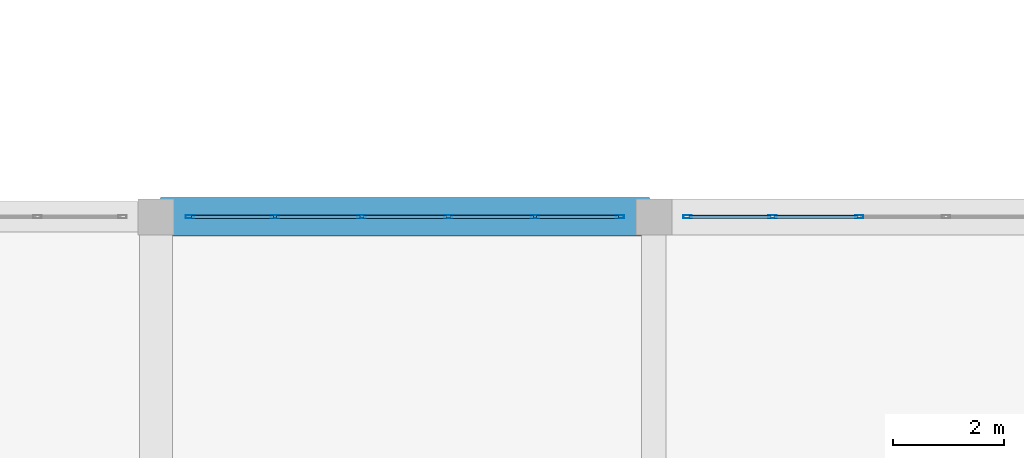
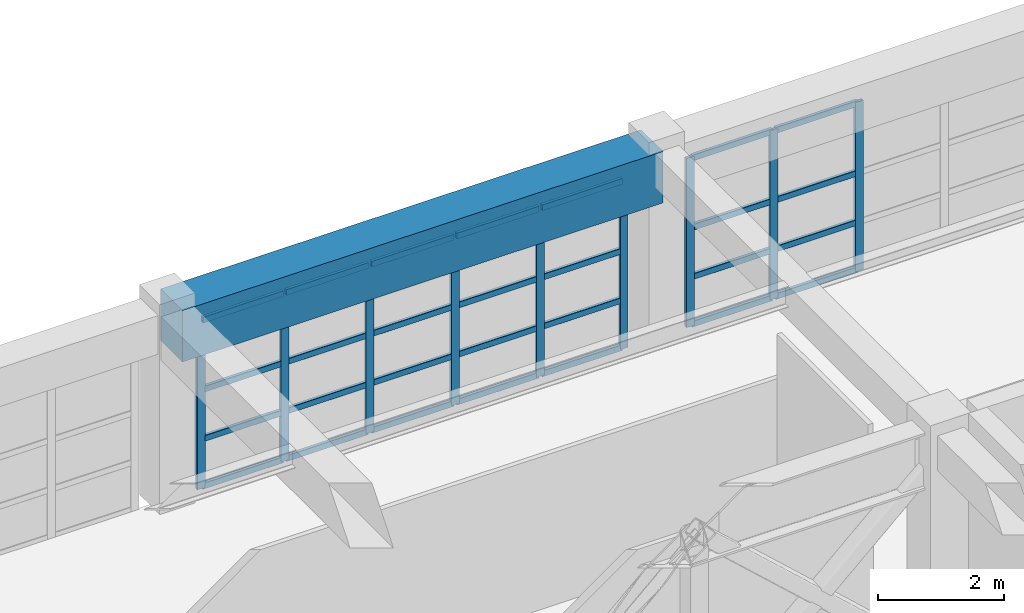
# One storey, part 54 of 130: 37 members, 1 beam, 2 elements without a shape of their own.
"""IFC4 building model written with IfcOpenShell, lengths in metres."""

from ifc_helpers import new_model, si_unit, direction, frame, origin, origin_2d, place, context, subcontext, project, spatial, rectangle, hollow_rectangle, extrude, material, material_profile, profile_set, type_object, element, aggregate, save


model = new_model("IFC4")

# Units and contexts
model_context = context("Model", 3, precision=1e-05, world=origin(), true_north=direction((0.0, 1.0)))
body_context = subcontext(model_context, "Body", "Model", "MODEL_VIEW")
ifc_project = project(units=[si_unit("LENGTHUNIT", "METRE"), si_unit("AREAUNIT", "SQUARE_METRE"), si_unit("VOLUMEUNIT", "CUBIC_METRE"), si_unit("PLANEANGLEUNIT", "RADIAN"), si_unit("MASSUNIT", "GRAM", prefix="KILO")], contexts=[model_context])

# Site, building, storey
site_placement = place(None, origin())
site = spatial("IfcSite", under=ifc_project, at=site_placement, CompositionType="ELEMENT")
building_placement = place(site_placement, origin())
building = spatial("IfcBuilding", under=site, at=building_placement, Name="Miravela Opera House", CompositionType="ELEMENT")
storey_placement = place(building_placement, frame((0.0, 0.0, 9.52001953125)))
storey = spatial("IfcBuildingStorey", under=building, at=storey_placement, Name="L02", CompositionType="ELEMENT", Elevation=9.52001953125)

# Curtain wall, members
ifc_material_1 = material(Name="Anodised architectural bronze aluminium 6063-T6", Category="aluminium")
curtain_wall_type = type_object("IfcCurtainWallType", Name="ARC-CW-05", PredefinedType="NOTDEFINED", material=ifc_material_1)
curtain_wall_1_placement = place(storey_placement, origin())
curtain_wall_1 = element("IfcCurtainWall", 1, at=curtain_wall_1_placement, inside=storey, type_object=curtain_wall_type, Name="Courtyard Arcade Curtain Wall CW-L02-091", PredefinedType="NOTDEFINED")
ifc_material_profile_1 = material_profile(ifc_material_1, hollow_rectangle(XDim=0.06005859375, YDim=0.14990234375, WallThickness=0.00390625, InnerFilletRadius=0.001953125, OuterFilletRadius=0.00390625, at=origin_2d()), Name="CWM-60X150")
ifc_profile_set_1 = profile_set([ifc_material_profile_1])
member_type_1 = type_object("IfcMemberType", Name="ARC-CWM-150", PredefinedType="MULLION", material=ifc_profile_set_1)
member_1_placement = place(storey_placement, frame((36.610107421875, 84.0, 0.0), z_axis=(0.0, 0.0, 1.0), x_axis=(0.0, 1.0, 0.0)))
member_1 = element("IfcMember", 2, at=member_1_placement, type_object=member_type_1, Name="CW-05 mullion 1", PredefinedType="MULLION", context=body_context, shape_type="SweptSolid", body=[
    extrude(hollow_rectangle(XDim=0.06005859375, YDim=0.14990234375, WallThickness=0.00390625, InnerFilletRadius=0.001953125, OuterFilletRadius=0.00390625, at=origin_2d()), origin(), (0.0, 0.0, 1.0), 3.2900390625),
])
member_2_placement = place(storey_placement, frame((38.14794921875, 84.0, 0.0), z_axis=(0.0, 0.0, 1.0), x_axis=(0.0, 1.0, 0.0)))
member_2 = element("IfcMember", 3, at=member_2_placement, type_object=member_type_1, Name="CW-05 mullion 2", PredefinedType="MULLION", context=body_context, shape_type="SweptSolid", body=[
    extrude(hollow_rectangle(XDim=0.06005859375, YDim=0.14990234375, WallThickness=0.00390625, InnerFilletRadius=0.001953125, OuterFilletRadius=0.00390625, at=origin_2d()), origin(), (0.0, 0.0, 1.0), 3.2900390625),
])
member_3_placement = place(storey_placement, frame((39.716064453125, 84.0, 0.0), z_axis=(0.0, 0.0, 1.0), x_axis=(0.0, 1.0, 0.0)))
member_3 = element("IfcMember", 4, at=member_3_placement, type_object=member_type_1, Name="CW-05 mullion 3", PredefinedType="MULLION", context=body_context, shape_type="SweptSolid", body=[
    extrude(hollow_rectangle(XDim=0.06005859375, YDim=0.14990234375, WallThickness=0.00390625, InnerFilletRadius=0.001953125, OuterFilletRadius=0.00390625, at=origin_2d()), origin(), (0.0, 0.0, 1.0), 3.2900390625),
])
member_4_placement = place(storey_placement, frame((41.283935546875, 84.0, 0.0), z_axis=(0.0, 0.0, 1.0), x_axis=(0.0, 1.0, 0.0)))
member_4 = element("IfcMember", 5, at=member_4_placement, type_object=member_type_1, Name="CW-05 mullion 4", PredefinedType="MULLION", context=body_context, shape_type="SweptSolid", body=[
    extrude(hollow_rectangle(XDim=0.06005859375, YDim=0.14990234375, WallThickness=0.00390625, InnerFilletRadius=0.001953125, OuterFilletRadius=0.00390625, at=origin_2d()), origin(), (0.0, 0.0, 1.0), 3.2900390625),
])
member_5_placement = place(storey_placement, frame((42.85205078125, 84.0, 0.0), z_axis=(0.0, 0.0, 1.0), x_axis=(0.0, 1.0, 0.0)))
member_5 = element("IfcMember", 6, at=member_5_placement, type_object=member_type_1, Name="CW-05 mullion 5", PredefinedType="MULLION", context=body_context, shape_type="SweptSolid", body=[
    extrude(hollow_rectangle(XDim=0.06005859375, YDim=0.14990234375, WallThickness=0.00390625, InnerFilletRadius=0.001953125, OuterFilletRadius=0.00390625, at=origin_2d()), origin(), (0.0, 0.0, 1.0), 3.2900390625),
])
member_6_placement = place(storey_placement, frame((44.389892578125, 84.0, 0.0), z_axis=(0.0, 0.0, 1.0), x_axis=(0.0, 1.0, 0.0)))
member_6 = element("IfcMember", 7, at=member_6_placement, type_object=member_type_1, Name="CW-05 mullion 6", PredefinedType="MULLION", context=body_context, shape_type="SweptSolid", body=[
    extrude(hollow_rectangle(XDim=0.06005859375, YDim=0.14990234375, WallThickness=0.00390625, InnerFilletRadius=0.001953125, OuterFilletRadius=0.00390625, at=origin_2d()), origin(), (0.0, 0.0, 1.0), 3.2900390625),
])

curtain_wall_2_placement = place(storey_placement, origin())
curtain_wall_2 = element("IfcCurtainWall", 8, at=curtain_wall_2_placement, inside=storey, type_object=curtain_wall_type, Name="Courtyard Arcade Curtain Wall CW-L02-093", PredefinedType="NOTDEFINED")
member_7_placement = place(storey_placement, frame((45.610107421875, 84.0, 0.0), z_axis=(0.0, 0.0, 1.0), x_axis=(0.0, 1.0, 0.0)))
member_7 = element("IfcMember", 9, at=member_7_placement, type_object=member_type_1, Name="CW-05 mullion 1", PredefinedType="MULLION", context=body_context, shape_type="SweptSolid", body=[
    extrude(hollow_rectangle(XDim=0.06005859375, YDim=0.14990234375, WallThickness=0.00390625, InnerFilletRadius=0.001953125, OuterFilletRadius=0.00390625, at=origin_2d()), origin(), (0.0, 0.0, 1.0), 3.2900390625),
])
member_8_placement = place(storey_placement, frame((47.14794921875, 84.0, 0.0), z_axis=(0.0, 0.0, 1.0), x_axis=(0.0, 1.0, 0.0)))
member_8 = element("IfcMember", 10, at=member_8_placement, type_object=member_type_1, Name="CW-05 mullion 2", PredefinedType="MULLION", context=body_context, shape_type="SweptSolid", body=[
    extrude(hollow_rectangle(XDim=0.06005859375, YDim=0.14990234375, WallThickness=0.00390625, InnerFilletRadius=0.001953125, OuterFilletRadius=0.00390625, at=origin_2d()), origin(), (0.0, 0.0, 1.0), 3.2900390625),
])
member_9_placement = place(storey_placement, frame((48.716064453125, 84.0, 0.0), z_axis=(0.0, 0.0, 1.0), x_axis=(0.0, 1.0, 0.0)))
member_9 = element("IfcMember", 11, at=member_9_placement, type_object=member_type_1, Name="CW-05 mullion 3", PredefinedType="MULLION", context=body_context, shape_type="SweptSolid", body=[
    extrude(hollow_rectangle(XDim=0.06005859375, YDim=0.14990234375, WallThickness=0.00390625, InnerFilletRadius=0.001953125, OuterFilletRadius=0.00390625, at=origin_2d()), origin(), (0.0, 0.0, 1.0), 3.2900390625),
])

# Member
ifc_material_profile_2 = material_profile(ifc_material_1, hollow_rectangle(XDim=0.06005859375, YDim=0.114990234375, WallThickness=0.00390625, InnerFilletRadius=0.001953125, OuterFilletRadius=0.00390625, at=origin_2d()), Name="CWT-60X115")
ifc_profile_set_2 = profile_set([ifc_material_profile_2])
member_type_2 = type_object("IfcMemberType", Name="ARC-CWT-115", PredefinedType="USERDEFINED", material=ifc_profile_set_2)
member_10_placement = place(storey_placement, frame((36.639892578125, 84.0, 0.030029296875), z_axis=(1.0, 0.0, 0.0), x_axis=(0.0, 1.0, 0.0)))
member_10 = element("IfcMember", 12, at=member_10_placement, type_object=member_type_2, Name="CW-05 transom 1.1", ObjectType="TRANSOM", PredefinedType="USERDEFINED", context=body_context, shape_type="SweptSolid", body=[
    extrude(hollow_rectangle(XDim=0.06005859375, YDim=0.114990234375, WallThickness=0.00390625, InnerFilletRadius=0.001953125, OuterFilletRadius=0.00390625, at=origin_2d()), origin(), (0.0, 0.0, 1.0), 1.47802734375),
])

member_11_placement = place(storey_placement, frame((36.639892578125, 84.0, 0.949951171875), z_axis=(1.0, 0.0, 0.0), x_axis=(0.0, 1.0, 0.0)))
member_11 = element("IfcMember", 13, at=member_11_placement, type_object=member_type_2, Name="CW-05 transom 1.2", ObjectType="TRANSOM", PredefinedType="USERDEFINED", context=body_context, shape_type="SweptSolid", body=[
    extrude(hollow_rectangle(XDim=0.06005859375, YDim=0.114990234375, WallThickness=0.00390625, InnerFilletRadius=0.001953125, OuterFilletRadius=0.00390625, at=origin_2d()), origin(), (0.0, 0.0, 1.0), 1.47802734375),
])

member_12_placement = place(storey_placement, frame((36.639892578125, 84.0, 1.908203125), z_axis=(1.0, 0.0, 0.0), x_axis=(0.0, 1.0, 0.0)))
member_12 = element("IfcMember", 14, at=member_12_placement, type_object=member_type_2, Name="CW-05 transom 1.3", ObjectType="TRANSOM", PredefinedType="USERDEFINED", context=body_context, shape_type="SweptSolid", body=[
    extrude(hollow_rectangle(XDim=0.06005859375, YDim=0.114990234375, WallThickness=0.00390625, InnerFilletRadius=0.001953125, OuterFilletRadius=0.00390625, at=origin_2d()), origin(), (0.0, 0.0, 1.0), 1.47802734375),
])

member_13_placement = place(storey_placement, frame((36.639892578125, 84.0, 3.260009765625), z_axis=(1.0, 0.0, 0.0), x_axis=(0.0, 1.0, 0.0)))
member_13 = element("IfcMember", 15, at=member_13_placement, type_object=member_type_2, Name="CW-05 transom 1.4", ObjectType="TRANSOM", PredefinedType="USERDEFINED", context=body_context, shape_type="SweptSolid", body=[
    extrude(hollow_rectangle(XDim=0.06005859375, YDim=0.114990234375, WallThickness=0.00390625, InnerFilletRadius=0.001953125, OuterFilletRadius=0.00390625, at=origin_2d()), origin(), (0.0, 0.0, 1.0), 1.47802734375),
])

member_14_placement = place(storey_placement, frame((38.177978515625, 84.0, 0.030029296875), z_axis=(1.0, 0.0, 0.0), x_axis=(0.0, 1.0, 0.0)))
member_14 = element("IfcMember", 16, at=member_14_placement, type_object=member_type_2, Name="CW-05 transom 2.1", ObjectType="TRANSOM", PredefinedType="USERDEFINED", context=body_context, shape_type="SweptSolid", body=[
    extrude(hollow_rectangle(XDim=0.06005859375, YDim=0.114990234375, WallThickness=0.00390625, InnerFilletRadius=0.001953125, OuterFilletRadius=0.00390625, at=origin_2d()), origin(), (0.0, 0.0, 1.0), 1.508056640625),
])

member_15_placement = place(storey_placement, frame((38.177978515625, 84.0, 0.949951171875), z_axis=(1.0, 0.0, 0.0), x_axis=(0.0, 1.0, 0.0)))
member_15 = element("IfcMember", 17, at=member_15_placement, type_object=member_type_2, Name="CW-05 transom 2.2", ObjectType="TRANSOM", PredefinedType="USERDEFINED", context=body_context, shape_type="SweptSolid", body=[
    extrude(hollow_rectangle(XDim=0.06005859375, YDim=0.114990234375, WallThickness=0.00390625, InnerFilletRadius=0.001953125, OuterFilletRadius=0.00390625, at=origin_2d()), origin(), (0.0, 0.0, 1.0), 1.508056640625),
])

member_16_placement = place(storey_placement, frame((38.177978515625, 84.0, 1.908203125), z_axis=(1.0, 0.0, 0.0), x_axis=(0.0, 1.0, 0.0)))
member_16 = element("IfcMember", 18, at=member_16_placement, type_object=member_type_2, Name="CW-05 transom 2.3", ObjectType="TRANSOM", PredefinedType="USERDEFINED", context=body_context, shape_type="SweptSolid", body=[
    extrude(hollow_rectangle(XDim=0.06005859375, YDim=0.114990234375, WallThickness=0.00390625, InnerFilletRadius=0.001953125, OuterFilletRadius=0.00390625, at=origin_2d()), origin(), (0.0, 0.0, 1.0), 1.508056640625),
])

member_17_placement = place(storey_placement, frame((38.177978515625, 84.0, 3.260009765625), z_axis=(1.0, 0.0, 0.0), x_axis=(0.0, 1.0, 0.0)))
member_17 = element("IfcMember", 19, at=member_17_placement, type_object=member_type_2, Name="CW-05 transom 2.4", ObjectType="TRANSOM", PredefinedType="USERDEFINED", context=body_context, shape_type="SweptSolid", body=[
    extrude(hollow_rectangle(XDim=0.06005859375, YDim=0.114990234375, WallThickness=0.00390625, InnerFilletRadius=0.001953125, OuterFilletRadius=0.00390625, at=origin_2d()), origin(), (0.0, 0.0, 1.0), 1.508056640625),
])

member_18_placement = place(storey_placement, frame((39.74609375, 84.0, 0.030029296875), z_axis=(1.0, 0.0, 0.0), x_axis=(0.0, 1.0, 0.0)))
member_18 = element("IfcMember", 20, at=member_18_placement, type_object=member_type_2, Name="CW-05 transom 3.1", ObjectType="TRANSOM", PredefinedType="USERDEFINED", context=body_context, shape_type="SweptSolid", body=[
    extrude(hollow_rectangle(XDim=0.06005859375, YDim=0.114990234375, WallThickness=0.00390625, InnerFilletRadius=0.001953125, OuterFilletRadius=0.00390625, at=origin_2d()), origin(), (0.0, 0.0, 1.0), 1.5078125),
])

member_19_placement = place(storey_placement, frame((39.74609375, 84.0, 0.949951171875), z_axis=(1.0, 0.0, 0.0), x_axis=(0.0, 1.0, 0.0)))
member_19 = element("IfcMember", 21, at=member_19_placement, type_object=member_type_2, Name="CW-05 transom 3.2", ObjectType="TRANSOM", PredefinedType="USERDEFINED", context=body_context, shape_type="SweptSolid", body=[
    extrude(hollow_rectangle(XDim=0.06005859375, YDim=0.114990234375, WallThickness=0.00390625, InnerFilletRadius=0.001953125, OuterFilletRadius=0.00390625, at=origin_2d()), origin(), (0.0, 0.0, 1.0), 1.5078125),
])

member_20_placement = place(storey_placement, frame((39.74609375, 84.0, 1.908203125), z_axis=(1.0, 0.0, 0.0), x_axis=(0.0, 1.0, 0.0)))
member_20 = element("IfcMember", 22, at=member_20_placement, type_object=member_type_2, Name="CW-05 transom 3.3", ObjectType="TRANSOM", PredefinedType="USERDEFINED", context=body_context, shape_type="SweptSolid", body=[
    extrude(hollow_rectangle(XDim=0.06005859375, YDim=0.114990234375, WallThickness=0.00390625, InnerFilletRadius=0.001953125, OuterFilletRadius=0.00390625, at=origin_2d()), origin(), (0.0, 0.0, 1.0), 1.5078125),
])

member_21_placement = place(storey_placement, frame((39.74609375, 84.0, 3.260009765625), z_axis=(1.0, 0.0, 0.0), x_axis=(0.0, 1.0, 0.0)))
member_21 = element("IfcMember", 23, at=member_21_placement, type_object=member_type_2, Name="CW-05 transom 3.4", ObjectType="TRANSOM", PredefinedType="USERDEFINED", context=body_context, shape_type="SweptSolid", body=[
    extrude(hollow_rectangle(XDim=0.06005859375, YDim=0.114990234375, WallThickness=0.00390625, InnerFilletRadius=0.001953125, OuterFilletRadius=0.00390625, at=origin_2d()), origin(), (0.0, 0.0, 1.0), 1.5078125),
])

member_22_placement = place(storey_placement, frame((41.31396484375, 84.0, 0.030029296875), z_axis=(1.0, 0.0, 0.0), x_axis=(0.0, 1.0, 0.0)))
member_22 = element("IfcMember", 24, at=member_22_placement, type_object=member_type_2, Name="CW-05 transom 4.1", ObjectType="TRANSOM", PredefinedType="USERDEFINED", context=body_context, shape_type="SweptSolid", body=[
    extrude(hollow_rectangle(XDim=0.06005859375, YDim=0.114990234375, WallThickness=0.00390625, InnerFilletRadius=0.001953125, OuterFilletRadius=0.00390625, at=origin_2d()), origin(), (0.0, 0.0, 1.0), 1.508056640625),
])

member_23_placement = place(storey_placement, frame((41.31396484375, 84.0, 0.949951171875), z_axis=(1.0, 0.0, 0.0), x_axis=(0.0, 1.0, 0.0)))
member_23 = element("IfcMember", 25, at=member_23_placement, type_object=member_type_2, Name="CW-05 transom 4.2", ObjectType="TRANSOM", PredefinedType="USERDEFINED", context=body_context, shape_type="SweptSolid", body=[
    extrude(hollow_rectangle(XDim=0.06005859375, YDim=0.114990234375, WallThickness=0.00390625, InnerFilletRadius=0.001953125, OuterFilletRadius=0.00390625, at=origin_2d()), origin(), (0.0, 0.0, 1.0), 1.508056640625),
])

member_24_placement = place(storey_placement, frame((41.31396484375, 84.0, 1.908203125), z_axis=(1.0, 0.0, 0.0), x_axis=(0.0, 1.0, 0.0)))
member_24 = element("IfcMember", 26, at=member_24_placement, type_object=member_type_2, Name="CW-05 transom 4.3", ObjectType="TRANSOM", PredefinedType="USERDEFINED", context=body_context, shape_type="SweptSolid", body=[
    extrude(hollow_rectangle(XDim=0.06005859375, YDim=0.114990234375, WallThickness=0.00390625, InnerFilletRadius=0.001953125, OuterFilletRadius=0.00390625, at=origin_2d()), origin(), (0.0, 0.0, 1.0), 1.508056640625),
])

member_25_placement = place(storey_placement, frame((41.31396484375, 84.0, 3.260009765625), z_axis=(1.0, 0.0, 0.0), x_axis=(0.0, 1.0, 0.0)))
member_25 = element("IfcMember", 27, at=member_25_placement, type_object=member_type_2, Name="CW-05 transom 4.4", ObjectType="TRANSOM", PredefinedType="USERDEFINED", context=body_context, shape_type="SweptSolid", body=[
    extrude(hollow_rectangle(XDim=0.06005859375, YDim=0.114990234375, WallThickness=0.00390625, InnerFilletRadius=0.001953125, OuterFilletRadius=0.00390625, at=origin_2d()), origin(), (0.0, 0.0, 1.0), 1.508056640625),
])

member_26_placement = place(storey_placement, frame((42.882080078125, 84.0, 0.030029296875), z_axis=(1.0, 0.0, 0.0), x_axis=(0.0, 1.0, 0.0)))
member_26 = element("IfcMember", 28, at=member_26_placement, type_object=member_type_2, Name="CW-05 transom 5.1", ObjectType="TRANSOM", PredefinedType="USERDEFINED", context=body_context, shape_type="SweptSolid", body=[
    extrude(hollow_rectangle(XDim=0.06005859375, YDim=0.114990234375, WallThickness=0.00390625, InnerFilletRadius=0.001953125, OuterFilletRadius=0.00390625, at=origin_2d()), origin(), (0.0, 0.0, 1.0), 1.47802734375),
])

member_27_placement = place(storey_placement, frame((42.882080078125, 84.0, 0.949951171875), z_axis=(1.0, 0.0, 0.0), x_axis=(0.0, 1.0, 0.0)))
member_27 = element("IfcMember", 29, at=member_27_placement, type_object=member_type_2, Name="CW-05 transom 5.2", ObjectType="TRANSOM", PredefinedType="USERDEFINED", context=body_context, shape_type="SweptSolid", body=[
    extrude(hollow_rectangle(XDim=0.06005859375, YDim=0.114990234375, WallThickness=0.00390625, InnerFilletRadius=0.001953125, OuterFilletRadius=0.00390625, at=origin_2d()), origin(), (0.0, 0.0, 1.0), 1.47802734375),
])

member_28_placement = place(storey_placement, frame((42.882080078125, 84.0, 1.908203125), z_axis=(1.0, 0.0, 0.0), x_axis=(0.0, 1.0, 0.0)))
member_28 = element("IfcMember", 30, at=member_28_placement, type_object=member_type_2, Name="CW-05 transom 5.3", ObjectType="TRANSOM", PredefinedType="USERDEFINED", context=body_context, shape_type="SweptSolid", body=[
    extrude(hollow_rectangle(XDim=0.06005859375, YDim=0.114990234375, WallThickness=0.00390625, InnerFilletRadius=0.001953125, OuterFilletRadius=0.00390625, at=origin_2d()), origin(), (0.0, 0.0, 1.0), 1.47802734375),
])

member_29_placement = place(storey_placement, frame((42.882080078125, 84.0, 3.260009765625), z_axis=(1.0, 0.0, 0.0), x_axis=(0.0, 1.0, 0.0)))
member_29 = element("IfcMember", 31, at=member_29_placement, type_object=member_type_2, Name="CW-05 transom 5.4", ObjectType="TRANSOM", PredefinedType="USERDEFINED", context=body_context, shape_type="SweptSolid", body=[
    extrude(hollow_rectangle(XDim=0.06005859375, YDim=0.114990234375, WallThickness=0.00390625, InnerFilletRadius=0.001953125, OuterFilletRadius=0.00390625, at=origin_2d()), origin(), (0.0, 0.0, 1.0), 1.47802734375),
])

aggregate(curtain_wall_1, [member_1, member_2, member_3, member_4, member_5, member_6, member_10, member_11, member_12, member_13, member_14, member_15, member_16, member_17, member_18, member_19, member_20, member_21, member_22, member_23, member_24, member_25, member_26, member_27, member_28, member_29])

member_30_placement = place(storey_placement, frame((45.639892578125, 84.0, 0.030029296875), z_axis=(1.0, 0.0, 0.0), x_axis=(0.0, 1.0, 0.0)))
member_30 = element("IfcMember", 32, at=member_30_placement, type_object=member_type_2, Name="CW-05 transom 1.1", ObjectType="TRANSOM", PredefinedType="USERDEFINED", context=body_context, shape_type="SweptSolid", body=[
    extrude(hollow_rectangle(XDim=0.06005859375, YDim=0.114990234375, WallThickness=0.00390625, InnerFilletRadius=0.001953125, OuterFilletRadius=0.00390625, at=origin_2d()), origin(), (0.0, 0.0, 1.0), 1.47802734375),
])

member_31_placement = place(storey_placement, frame((45.639892578125, 84.0, 0.949951171875), z_axis=(1.0, 0.0, 0.0), x_axis=(0.0, 1.0, 0.0)))
member_31 = element("IfcMember", 33, at=member_31_placement, type_object=member_type_2, Name="CW-05 transom 1.2", ObjectType="TRANSOM", PredefinedType="USERDEFINED", context=body_context, shape_type="SweptSolid", body=[
    extrude(hollow_rectangle(XDim=0.06005859375, YDim=0.114990234375, WallThickness=0.00390625, InnerFilletRadius=0.001953125, OuterFilletRadius=0.00390625, at=origin_2d()), origin(), (0.0, 0.0, 1.0), 1.47802734375),
])

member_32_placement = place(storey_placement, frame((45.639892578125, 84.0, 1.908203125), z_axis=(1.0, 0.0, 0.0), x_axis=(0.0, 1.0, 0.0)))
member_32 = element("IfcMember", 34, at=member_32_placement, type_object=member_type_2, Name="CW-05 transom 1.3", ObjectType="TRANSOM", PredefinedType="USERDEFINED", context=body_context, shape_type="SweptSolid", body=[
    extrude(hollow_rectangle(XDim=0.06005859375, YDim=0.114990234375, WallThickness=0.00390625, InnerFilletRadius=0.001953125, OuterFilletRadius=0.00390625, at=origin_2d()), origin(), (0.0, 0.0, 1.0), 1.47802734375),
])

member_33_placement = place(storey_placement, frame((45.639892578125, 84.0, 3.260009765625), z_axis=(1.0, 0.0, 0.0), x_axis=(0.0, 1.0, 0.0)))
member_33 = element("IfcMember", 35, at=member_33_placement, type_object=member_type_2, Name="CW-05 transom 1.4", ObjectType="TRANSOM", PredefinedType="USERDEFINED", context=body_context, shape_type="SweptSolid", body=[
    extrude(hollow_rectangle(XDim=0.06005859375, YDim=0.114990234375, WallThickness=0.00390625, InnerFilletRadius=0.001953125, OuterFilletRadius=0.00390625, at=origin_2d()), origin(), (0.0, 0.0, 1.0), 1.47802734375),
])

member_34_placement = place(storey_placement, frame((47.177978515625, 84.0, 0.030029296875), z_axis=(1.0, 0.0, 0.0), x_axis=(0.0, 1.0, 0.0)))
member_34 = element("IfcMember", 36, at=member_34_placement, type_object=member_type_2, Name="CW-05 transom 2.1", ObjectType="TRANSOM", PredefinedType="USERDEFINED", context=body_context, shape_type="SweptSolid", body=[
    extrude(hollow_rectangle(XDim=0.06005859375, YDim=0.114990234375, WallThickness=0.00390625, InnerFilletRadius=0.001953125, OuterFilletRadius=0.00390625, at=origin_2d()), origin(), (0.0, 0.0, 1.0), 1.508056640625),
])

member_35_placement = place(storey_placement, frame((47.177978515625, 84.0, 0.949951171875), z_axis=(1.0, 0.0, 0.0), x_axis=(0.0, 1.0, 0.0)))
member_35 = element("IfcMember", 37, at=member_35_placement, type_object=member_type_2, Name="CW-05 transom 2.2", ObjectType="TRANSOM", PredefinedType="USERDEFINED", context=body_context, shape_type="SweptSolid", body=[
    extrude(hollow_rectangle(XDim=0.06005859375, YDim=0.114990234375, WallThickness=0.00390625, InnerFilletRadius=0.001953125, OuterFilletRadius=0.00390625, at=origin_2d()), origin(), (0.0, 0.0, 1.0), 1.508056640625),
])

member_36_placement = place(storey_placement, frame((47.177978515625, 84.0, 1.908203125), z_axis=(1.0, 0.0, 0.0), x_axis=(0.0, 1.0, 0.0)))
member_36 = element("IfcMember", 38, at=member_36_placement, type_object=member_type_2, Name="CW-05 transom 2.3", ObjectType="TRANSOM", PredefinedType="USERDEFINED", context=body_context, shape_type="SweptSolid", body=[
    extrude(hollow_rectangle(XDim=0.06005859375, YDim=0.114990234375, WallThickness=0.00390625, InnerFilletRadius=0.001953125, OuterFilletRadius=0.00390625, at=origin_2d()), origin(), (0.0, 0.0, 1.0), 1.508056640625),
])

member_37_placement = place(storey_placement, frame((47.177978515625, 84.0, 3.260009765625), z_axis=(1.0, 0.0, 0.0), x_axis=(0.0, 1.0, 0.0)))
member_37 = element("IfcMember", 39, at=member_37_placement, type_object=member_type_2, Name="CW-05 transom 2.4", ObjectType="TRANSOM", PredefinedType="USERDEFINED", context=body_context, shape_type="SweptSolid", body=[
    extrude(hollow_rectangle(XDim=0.06005859375, YDim=0.114990234375, WallThickness=0.00390625, InnerFilletRadius=0.001953125, OuterFilletRadius=0.00390625, at=origin_2d()), origin(), (0.0, 0.0, 1.0), 1.508056640625),
])

aggregate(curtain_wall_2, [member_7, member_8, member_9, member_30, member_31, member_32, member_33, member_34, member_35, member_36, member_37])

# Beam
ifc_material_2 = material(Name="Concrete C40/50", Category="concrete")
ifc_material_profile_3 = material_profile(ifc_material_2, rectangle(XDim=0.699951171875, YDim=1.0, at=origin_2d()), Name="RC-BM-700X1000")
ifc_profile_set_3 = profile_set([ifc_material_profile_3])
beam_type = type_object("IfcBeamType", Name="STR-BM-RC700X1000", PredefinedType="BEAM", material=ifc_profile_set_3)
beam_placement = place(storey_placement, frame((36.080078125, 84.0, 3.340087890625), z_axis=(1.0, 0.0, 0.0), x_axis=(0.0, 1.0, 0.0)))
element("IfcBeam", 40, at=beam_placement, inside=storey, type_object=beam_type, Name="Floor Girder L02 5-6/J", PredefinedType="BEAM", context=body_context, shape_type="SweptSolid", body=[
    extrude(rectangle(XDim=0.699951171875, YDim=1.0, at=origin_2d()), origin(), (0.0, 0.0, 1.0), 8.83984375),
])

save(model, "model.ifc")
